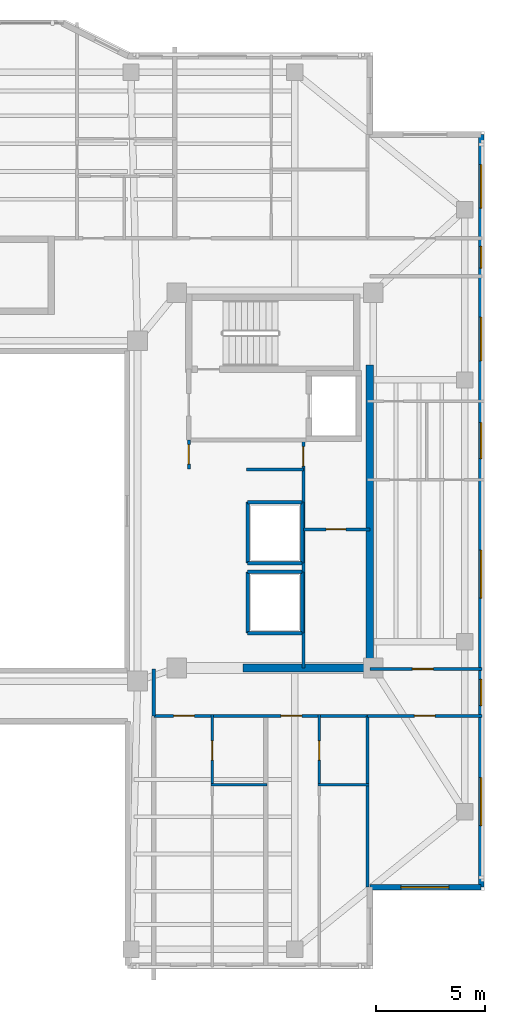
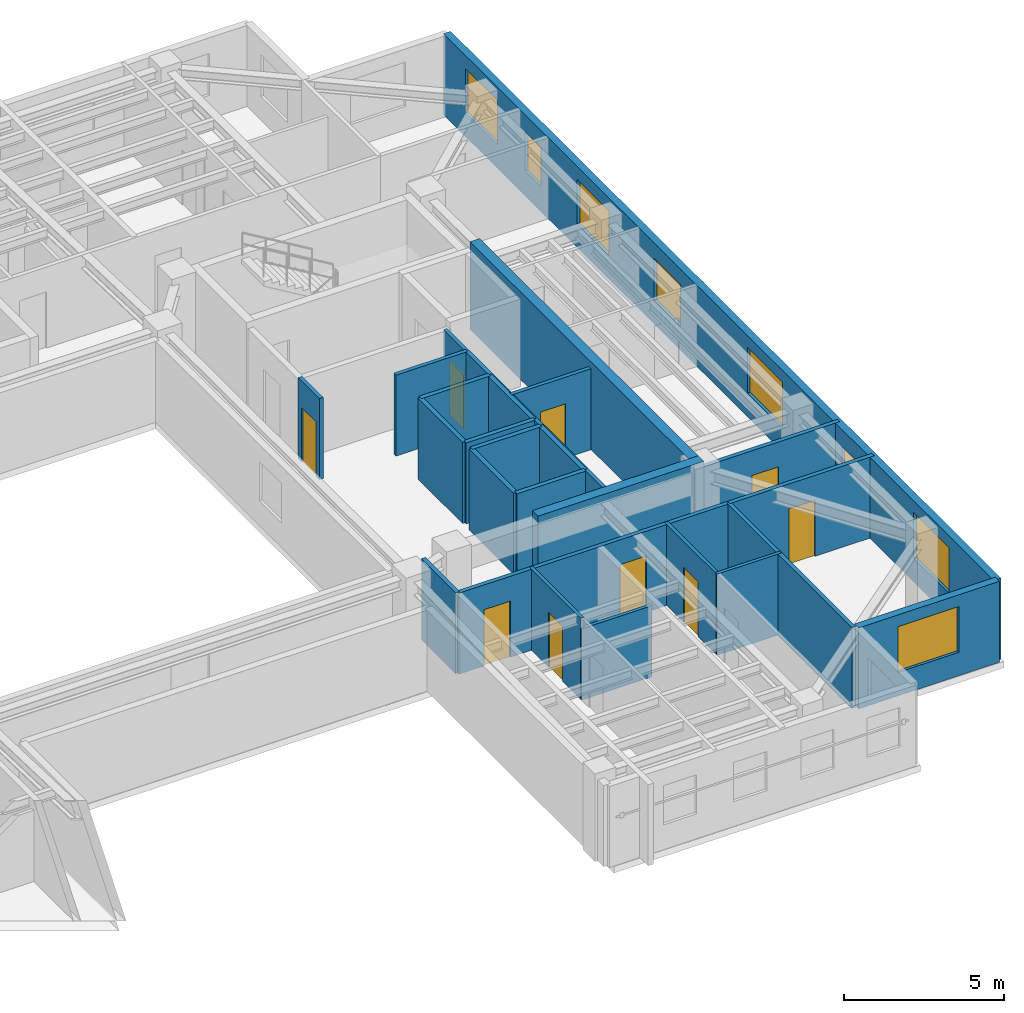
# One storey, part 6 of 12: 25 walls, 9 doors, 8 windows, 17 openings.
"""IFC4 building model written with IfcOpenShell, lengths in metres."""

from ifc_helpers import new_model, si_unit, direction, frame, frame_2d, origin, place, context, subcontext, project, spatial, rectangle, extrude, material, layer, layer_set, type_object, element, fill, save


model = new_model("IFC4")

# Units and contexts
model_context = context("Model", 3, precision=1e-05, world=origin(), true_north=direction((0.0, 1.0)))
body_context = subcontext(model_context, "Body", "Model", "MODEL_VIEW")
ifc_project = project(units=[si_unit("LENGTHUNIT", "METRE"), si_unit("AREAUNIT", "SQUARE_METRE"), si_unit("VOLUMEUNIT", "CUBIC_METRE"), si_unit("PLANEANGLEUNIT", "RADIAN"), si_unit("MASSUNIT", "GRAM", prefix="KILO")], contexts=[model_context])

# Site, building, storey
site_placement = place(None, origin())
site = spatial("IfcSite", under=ifc_project, at=site_placement, CompositionType="ELEMENT")
building_placement = place(site_placement, origin())
building = spatial("IfcBuilding", under=site, at=building_placement, Name="Tarnavaz Court Tower", CompositionType="ELEMENT")
storey_placement = place(building_placement, frame((0.0, 0.0, 207.0)))
storey = spatial("IfcBuildingStorey", under=building, at=storey_placement, Name="L56", CompositionType="ELEMENT", Elevation=207.0)

# Walls
ifc_material_1 = material(Name="Concrete C50/60", Category="concrete")
ifc_layer_1 = layer(ifc_material_1, 0.35009765625)
ifc_layer_set_1 = layer_set([ifc_layer_1], Name="Concrete C50/60")
wall_type_1 = type_object("IfcWallType", Name="WL-CORE-350-C50", PredefinedType="SHEAR", material=ifc_layer_set_1)
wall_1_placement = place(storey_placement, frame((18.449951171875, -7.375, 0.0), z_axis=(0.0, 0.0, 1.0), x_axis=(0.0, 1.0, 0.0)))
element("IfcWall", 1, at=wall_1_placement, inside=storey, type_object=wall_type_1, Name="L56 East Core Shear Wall 047", PredefinedType="SHEAR", context=body_context, shape_type="SweptSolid", body=[
    extrude(rectangle(XDim=14.050048828125, YDim=0.35009765625, at=frame_2d((7.02490234375, 0.0))), origin(), (0.0, 0.0, 1.0), 3.35009765625),
])
wall_2_placement = place(storey_placement, frame((12.625, -7.199951171875, 0.0), z_axis=(0.0, 0.0, 1.0), x_axis=(1.0, 0.0, 0.0)))
element("IfcWall", 2, at=wall_2_placement, inside=storey, type_object=wall_type_1, Name="L56 East Core South Shear Wall 048", PredefinedType="SHEAR", context=body_context, shape_type="SweptSolid", body=[
    extrude(rectangle(XDim=6.0, YDim=0.35009765625, at=frame_2d((3.0, 0.0))), origin(), (0.0, 0.0, 1.0), 3.35009765625),
])

# Wall, openings, windows
ifc_material_2 = material(Name="Precast Concrete C40/50", Category="concrete")
ifc_layer_2 = layer(ifc_material_2, 0.260009765625)
ifc_layer_set_2 = layer_set([ifc_layer_2], Name="Precast Concrete C40/50")
wall_type_2 = type_object("IfcWallType", Name="WL-EXT-260", PredefinedType="SOLIDWALL", material=ifc_layer_set_2)
wall_3_placement = place(storey_placement, frame((23.550048828125, 17.25, 0.0), z_axis=(0.0, 0.0, 1.0), x_axis=(0.0, -1.0, 0.0)))
wall_3 = element("IfcWall", 3, at=wall_3_placement, inside=storey, type_object=wall_type_2, Name="L56 Exterior Terracotta Facade Wall 12", PredefinedType="SOLIDWALL", context=body_context, shape_type="SweptSolid", body=[
    extrude(rectangle(XDim=34.5, YDim=0.260009765625, at=frame_2d((17.25, 0.0))), origin(), (0.0, 0.0, 1.0), 3.10009765625),
])
opening_1_placement = place(wall_3_placement, frame((1.375, 0.0, 0.89990234375)))
opening_1 = element("IfcOpeningElement", 4, at=opening_1_placement, cuts=wall_3, Name="Opening W08", PredefinedType="OPENING", context=body_context, shape_type="SweptSolid", body=[
    extrude(rectangle(XDim=2.0, YDim=1.699951171875, at=frame_2d((1.0, 0.85009765625))), frame((0.0, 0.139892578125, 0.0), z_axis=(0.0, -1.0, 0.0), x_axis=(1.0, 0.0, 0.0)), (0.0, 0.0, 1.0), 0.280029296875),
])
opening_2_placement = place(wall_3_placement, frame((5.125, 0.0, 0.949951171875)))
opening_2 = element("IfcOpeningElement", 5, at=opening_2_placement, cuts=wall_3, Name="Opening W14", PredefinedType="OPENING", context=body_context, shape_type="SweptSolid", body=[
    extrude(rectangle(XDim=1.0, YDim=1.5, at=frame_2d((0.5, 0.75))), frame((0.0, 0.139892578125, 0.0), z_axis=(0.0, -1.0, 0.0), x_axis=(1.0, 0.0, 0.0)), (0.0, 0.0, 1.0), 0.280029296875),
])
opening_3_placement = place(wall_3_placement, frame((8.375, 0.0, 0.89990234375)))
opening_3 = element("IfcOpeningElement", 6, at=opening_3_placement, cuts=wall_3, Name="Opening W08", PredefinedType="OPENING", context=body_context, shape_type="SweptSolid", body=[
    extrude(rectangle(XDim=2.0, YDim=1.699951171875, at=frame_2d((1.0, 0.85009765625))), frame((0.0, 0.139892578125, 0.0), z_axis=(0.0, -1.0, 0.0), x_axis=(1.0, 0.0, 0.0)), (0.0, 0.0, 1.0), 0.280029296875),
])
opening_4_placement = place(wall_3_placement, frame((13.199951171875, 0.0, 0.89990234375)))
opening_4 = element("IfcOpeningElement", 7, at=opening_4_placement, cuts=wall_3, Name="Opening W02", PredefinedType="OPENING", context=body_context, shape_type="SweptSolid", body=[
    extrude(rectangle(XDim=1.64990234375, YDim=1.60009765625, at=frame_2d((0.824951171875, 0.800048828125))), frame((0.0, 0.139892578125, 0.0), z_axis=(0.0, -1.0, 0.0), x_axis=(1.0, 0.0, 0.0)), (0.0, 0.0, 1.0), 0.280029296875),
])
opening_5_placement = place(wall_3_placement, frame((19.050048828125, 0.0, 0.89990234375)))
opening_5 = element("IfcOpeningElement", 8, at=opening_5_placement, cuts=wall_3, Name="Opening W07", PredefinedType="OPENING", context=body_context, shape_type="SweptSolid", body=[
    extrude(rectangle(XDim=2.199951171875, YDim=1.75, at=frame_2d((1.10009765625, 0.875))), frame((0.0, 0.139892578125, 0.0), z_axis=(0.0, -1.0, 0.0), x_axis=(1.0, 0.0, 0.0)), (0.0, 0.0, 1.0), 0.280029296875),
])
opening_6_placement = place(wall_3_placement, frame((24.97509765625, 0.0, 0.949951171875)))
opening_6 = element("IfcOpeningElement", 9, at=opening_6_placement, cuts=wall_3, Name="Opening W05", PredefinedType="OPENING", context=body_context, shape_type="SweptSolid", body=[
    extrude(rectangle(XDim=1.199951171875, YDim=1.5, at=frame_2d((0.60009765625, 0.75))), frame((0.0, 0.139892578125, 0.0), z_axis=(0.0, -1.0, 0.0), x_axis=(1.0, 0.0, 0.0)), (0.0, 0.0, 1.0), 0.280029296875),
])
opening_7_placement = place(wall_3_placement, frame((29.47509765625, 0.0, 0.89990234375)))
opening_7 = element("IfcOpeningElement", 10, at=opening_7_placement, cuts=wall_3, Name="Opening W07", PredefinedType="OPENING", context=body_context, shape_type="SweptSolid", body=[
    extrude(rectangle(XDim=2.199951171875, YDim=1.75, at=frame_2d((1.10009765625, 0.875))), frame((0.0, 0.139892578125, 0.0), z_axis=(0.0, -1.0, 0.0), x_axis=(1.0, 0.0, 0.0)), (0.0, 0.0, 1.0), 0.280029296875),
])
ifc_material_3 = material(Name="Double-Glazed Solar Low-E Glass", Category="glass")
window_type_1 = type_object("IfcWindowType", Name="WN-APT-1000", PartitioningType="SINGLE_PANEL", PredefinedType="WINDOW", material=ifc_material_3)
window_1_placement = place(opening_2_placement, origin())
window_1 = element("IfcWindow", 11, at=window_1_placement, inside=storey, type_object=window_type_1, Name="L56 North-East Corner Corridor Window", OverallHeight=1.5, OverallWidth=1.0, PartitioningType="SINGLE_PANEL", PredefinedType="WINDOW", context=body_context, shape_type="SweptSolid", body=[
    extrude(rectangle(XDim=1.0, YDim=1.5, at=frame_2d((0.5, 0.75))), frame((0.0, 0.030029296875, 0.0), z_axis=(0.0, -1.0, 0.0), x_axis=(1.0, 0.0, 0.0)), (0.0, 0.0, 1.0), 0.06005859375),
])
fill(opening_2, window_1)
window_type_2 = type_object("IfcWindowType", Name="WN-APT-1200", PartitioningType="SINGLE_PANEL", PredefinedType="WINDOW", material=ifc_material_3)
window_2_placement = place(opening_6_placement, origin())
window_2 = element("IfcWindow", 12, at=window_2_placement, inside=storey, type_object=window_type_2, Name="L56 South-East Corner Corridor Window", OverallHeight=1.5, OverallWidth=1.199951171875, PartitioningType="SINGLE_PANEL", PredefinedType="WINDOW", context=body_context, shape_type="SweptSolid", body=[
    extrude(rectangle(XDim=1.199951171875, YDim=1.5, at=frame_2d((0.60009765625, 0.75))), frame((0.0, 0.030029296875, 0.0), z_axis=(0.0, -1.0, 0.0), x_axis=(1.0, 0.0, 0.0)), (0.0, 0.0, 1.0), 0.06005859375),
])
fill(opening_6, window_2)
window_type_3 = type_object("IfcWindowType", Name="WN-APT-1650", PartitioningType="DOUBLE_PANEL_VERTICAL", PredefinedType="WINDOW", material=ifc_material_3)
window_3_placement = place(opening_4_placement, origin())
window_3 = element("IfcWindow", 13, at=window_3_placement, inside=storey, type_object=window_type_3, Name="L56 Flat 10 Bathroom Window", OverallHeight=1.60009765625, OverallWidth=1.64990234375, PartitioningType="SINGLE_PANEL", PredefinedType="WINDOW", context=body_context, shape_type="SweptSolid", body=[
    extrude(rectangle(XDim=1.64990234375, YDim=1.60009765625, at=frame_2d((0.824951171875, 0.800048828125))), frame((0.0, 0.030029296875, 0.0), z_axis=(0.0, -1.0, 0.0), x_axis=(1.0, 0.0, 0.0)), (0.0, 0.0, 1.0), 0.06005859375),
])
fill(opening_4, window_3)
window_type_4 = type_object("IfcWindowType", Name="WN-APT-2000", PartitioningType="DOUBLE_PANEL_VERTICAL", PredefinedType="WINDOW", material=ifc_material_3)
window_4_placement = place(opening_1_placement, origin())
window_4 = element("IfcWindow", 14, at=window_4_placement, inside=storey, type_object=window_type_4, Name="L56 North-East Corner Sunroom Study Window", OverallHeight=1.699951171875, OverallWidth=2.0, PartitioningType="SINGLE_PANEL", PredefinedType="WINDOW", context=body_context, shape_type="SweptSolid", body=[
    extrude(rectangle(XDim=2.0, YDim=1.699951171875, at=frame_2d((1.0, 0.85009765625))), frame((0.0, 0.030029296875, 0.0), z_axis=(0.0, -1.0, 0.0), x_axis=(1.0, 0.0, 0.0)), (0.0, 0.0, 1.0), 0.06005859375),
])
fill(opening_1, window_4)
window_5_placement = place(opening_3_placement, origin())
window_5 = element("IfcWindow", 15, at=window_5_placement, inside=storey, type_object=window_type_4, Name="L56 Flat 10 Study Room Window", OverallHeight=1.699951171875, OverallWidth=2.0, PartitioningType="SINGLE_PANEL", PredefinedType="WINDOW", context=body_context, shape_type="SweptSolid", body=[
    extrude(rectangle(XDim=2.0, YDim=1.699951171875, at=frame_2d((1.0, 0.85009765625))), frame((0.0, 0.030029296875, 0.0), z_axis=(0.0, -1.0, 0.0), x_axis=(1.0, 0.0, 0.0)), (0.0, 0.0, 1.0), 0.06005859375),
])
fill(opening_3, window_5)
window_type_5 = type_object("IfcWindowType", Name="WN-APT-2200", PartitioningType="TRIPLE_PANEL_VERTICAL", PredefinedType="WINDOW", material=ifc_material_3)
window_6_placement = place(opening_5_placement, origin())
window_6 = element("IfcWindow", 16, at=window_6_placement, inside=storey, type_object=window_type_5, Name="L56 Flat 10 Studio Living and Sleeping Room Window", OverallHeight=1.75, OverallWidth=2.199951171875, PartitioningType="SINGLE_PANEL", PredefinedType="WINDOW", context=body_context, shape_type="SweptSolid", body=[
    extrude(rectangle(XDim=2.199951171875, YDim=1.75, at=frame_2d((1.10009765625, 0.875))), frame((0.0, 0.030029296875, 0.0), z_axis=(0.0, -1.0, 0.0), x_axis=(1.0, 0.0, 0.0)), (0.0, 0.0, 1.0), 0.06005859375),
])
fill(opening_5, window_6)
window_7_placement = place(opening_7_placement, origin())
window_7 = element("IfcWindow", 17, at=window_7_placement, inside=storey, type_object=window_type_5, Name="L56 South-East Corner Reading Room Window", OverallHeight=1.75, OverallWidth=2.199951171875, PartitioningType="SINGLE_PANEL", PredefinedType="WINDOW", context=body_context, shape_type="SweptSolid", body=[
    extrude(rectangle(XDim=2.199951171875, YDim=1.75, at=frame_2d((1.10009765625, 0.875))), frame((0.0, 0.030029296875, 0.0), z_axis=(0.0, -1.0, 0.0), x_axis=(1.0, 0.0, 0.0)), (0.0, 0.0, 1.0), 0.06005859375),
])
fill(opening_7, window_7)

# Wall, opening, window
wall_4_placement = place(storey_placement, frame((23.550048828125, -17.25, 0.0), z_axis=(0.0, 0.0, 1.0), x_axis=(-1.0, 0.0, 0.0)))
wall_4 = element("IfcWall", 18, at=wall_4_placement, inside=storey, type_object=wall_type_2, Name="L56 Exterior Terracotta Facade Wall 13", PredefinedType="SOLIDWALL", context=body_context, shape_type="SweptSolid", body=[
    extrude(rectangle(XDim=5.10009765625, YDim=0.260009765625, at=frame_2d((2.550048828125, 0.0))), origin(), (0.0, 0.0, 1.0), 3.10009765625),
])
opening_8_placement = place(wall_4_placement, frame((1.47509765625, 0.0, 0.89990234375)))
opening_8 = element("IfcOpeningElement", 19, at=opening_8_placement, cuts=wall_4, Name="Opening W07", PredefinedType="OPENING", context=body_context, shape_type="SweptSolid", body=[
    extrude(rectangle(XDim=2.199951171875, YDim=1.75, at=frame_2d((1.10009765625, 0.875))), frame((0.0, 0.139892578125, 0.0), z_axis=(0.0, -1.0, 0.0), x_axis=(1.0, 0.0, 0.0)), (0.0, 0.0, 1.0), 0.280029296875),
])
window_8_placement = place(opening_8_placement, origin())
window_8 = element("IfcWindow", 20, at=window_8_placement, inside=storey, type_object=window_type_5, Name="L56 South-East Corner Reading Room Window", OverallHeight=1.75, OverallWidth=2.199951171875, PartitioningType="SINGLE_PANEL", PredefinedType="WINDOW", context=body_context, shape_type="SweptSolid", body=[
    extrude(rectangle(XDim=2.199951171875, YDim=1.75, at=frame_2d((1.10009765625, 0.875))), frame((0.0, 0.030029296875, 0.0), z_axis=(0.0, -1.0, 0.0), x_axis=(1.0, 0.0, 0.0)), (0.0, 0.0, 1.0), 0.06005859375),
])
fill(opening_8, window_8)

# Wall, openings, doors
ifc_material_4 = material(Name="Gypsum Fire-Board on Acoustic Metal Stud", Category="masonry")
ifc_layer_3 = layer(ifc_material_4, 0.14990234375)
ifc_layer_set_3 = layer_set([ifc_layer_3], Name="Gypsum Fire-Board on Acoustic Metal Stud")
wall_type_3 = type_object("IfcWallType", Name="WL-FIRE-150", PredefinedType="PARTITIONING", material=ifc_layer_set_3)
wall_5_placement = place(storey_placement, frame((8.550048828125, -9.39990234375, 0.0), z_axis=(0.0, 0.0, 1.0), x_axis=(1.0, 0.0, 0.0)))
wall_5 = element("IfcWall", 21, at=wall_5_placement, inside=storey, type_object=wall_type_3, Name="L56 SE Lobby Wall 058", PredefinedType="PARTITIONING", context=body_context, shape_type="SweptSolid", body=[
    extrude(rectangle(XDim=9.800048828125, YDim=0.14990234375, at=frame_2d((4.89990234375, 0.0))), origin(), (0.0, 0.0, 1.0), 3.10009765625),
])
opening_9_placement = place(wall_5_placement, frame((0.89990234375, 0.0, 0.0)))
opening_9 = element("IfcOpeningElement", 22, at=opening_9_placement, cuts=wall_5, Name="Opening D06", PredefinedType="OPENING", context=body_context, shape_type="SweptSolid", body=[
    extrude(rectangle(XDim=0.9599609375, YDim=2.14990234375, at=frame_2d((0.47998046875, 1.074951171875))), frame((0.0, 0.0849609375, 0.0), z_axis=(0.0, -1.0, 0.0), x_axis=(1.0, 0.0, 0.0)), (0.0, 0.0, 1.0), 0.169921875),
])
opening_10_placement = place(wall_5_placement, frame((5.820068359375, 0.0, 0.0)))
opening_10 = element("IfcOpeningElement", 23, at=opening_10_placement, cuts=wall_5, Name="Opening D06", PredefinedType="OPENING", context=body_context, shape_type="SweptSolid", body=[
    extrude(rectangle(XDim=0.9599609375, YDim=2.14990234375, at=frame_2d((0.47998046875, 1.074951171875))), frame((0.0, 0.0849609375, 0.0), z_axis=(0.0, -1.0, 0.0), x_axis=(1.0, 0.0, 0.0)), (0.0, 0.0, 1.0), 0.169921875),
])
ifc_material_5 = material(Name="Fire-Rated Hardwood Timber Core", Category="wood")
door_type_1 = type_object("IfcDoorType", Name="DR-FD60-950", OperationType="NOTDEFINED", PredefinedType="DOOR", material=ifc_material_5)
door_1_placement = place(opening_9_placement, origin())
door_1 = element("IfcDoor", 24, at=door_1_placement, inside=storey, type_object=door_type_1, Name="L56 Flat 07 Entrance Door", OperationType="SINGLE_SWING_LEFT", OverallHeight=2.14990234375, OverallWidth=0.9599609375, PredefinedType="DOOR", context=body_context, shape_type="SweptSolid", body=[
    extrude(rectangle(XDim=0.9599609375, YDim=2.14990234375, at=frame_2d((0.47998046875, 1.074951171875))), frame((0.0, 0.02490234375, 0.0), z_axis=(0.0, -1.0, 0.0), x_axis=(1.0, 0.0, 0.0)), (0.0, 0.0, 1.0), 0.050048828125),
])
fill(opening_9, door_1)
door_2_placement = place(opening_10_placement, origin())
door_2 = element("IfcDoor", 25, at=door_2_placement, inside=storey, type_object=door_type_1, Name="L56 Flat 08 Entrance Door", OperationType="SINGLE_SWING_RIGHT", OverallHeight=2.14990234375, OverallWidth=0.9599609375, PredefinedType="DOOR", context=body_context, shape_type="SweptSolid", body=[
    extrude(rectangle(XDim=0.9599609375, YDim=2.14990234375, at=frame_2d((0.47998046875, 1.074951171875))), frame((0.0, 0.02490234375, 0.0), z_axis=(0.0, -1.0, 0.0), x_axis=(1.0, 0.0, 0.0)), (0.0, 0.0, 1.0), 0.050048828125),
])
fill(opening_10, door_2)

# Wall
wall_6_placement = place(storey_placement, frame((8.550048828125, -9.39990234375, 0.0), z_axis=(0.0, 0.0, 1.0), x_axis=(0.0, 1.0, 0.0)))
element("IfcWall", 26, at=wall_6_placement, inside=storey, type_object=wall_type_3, Name="L56 East Spine End Wall 060", PredefinedType="PARTITIONING", context=body_context, shape_type="SweptSolid", body=[
    extrude(rectangle(XDim=2.14990234375, YDim=0.14990234375, at=frame_2d((1.074951171875, 0.0))), origin(), (0.0, 0.0, 1.0), 3.10009765625),
])

# Wall, opening, door
wall_7_placement = place(storey_placement, frame((18.449951171875, -7.25, 0.0), z_axis=(0.0, 0.0, 1.0), x_axis=(1.0, 0.0, 0.0)))
wall_7 = element("IfcWall", 27, at=wall_7_placement, inside=storey, type_object=wall_type_3, Name="L56 Interior Partition 098", PredefinedType="PARTITIONING", context=body_context, shape_type="SweptSolid", body=[
    extrude(rectangle(XDim=5.130126953125, YDim=0.14990234375, at=frame_2d((2.56494140625, 0.0))), origin(), (0.0, 0.0, 1.0), 3.10009765625),
])
opening_11_placement = place(wall_7_placement, frame((1.949951171875, 0.0, 0.0)))
opening_11 = element("IfcOpeningElement", 28, at=opening_11_placement, cuts=wall_7, Name="Opening D06", PredefinedType="OPENING", context=body_context, shape_type="SweptSolid", body=[
    extrude(rectangle(XDim=0.9599609375, YDim=2.14990234375, at=frame_2d((0.47998046875, 1.074951171875))), frame((0.0, 0.0849609375, 0.0), z_axis=(0.0, -1.0, 0.0), x_axis=(1.0, 0.0, 0.0)), (0.0, 0.0, 1.0), 0.169921875),
])
door_3_placement = place(opening_11_placement, origin())
door_3 = element("IfcDoor", 29, at=door_3_placement, inside=storey, type_object=door_type_1, Name="L56 Flat 10 Entrance Door", OperationType="SINGLE_SWING_LEFT", OverallHeight=2.14990234375, OverallWidth=0.9599609375, PredefinedType="DOOR", context=body_context, shape_type="SweptSolid", body=[
    extrude(rectangle(XDim=0.9599609375, YDim=2.14990234375, at=frame_2d((0.47998046875, 1.074951171875))), frame((0.0, 0.02490234375, 0.0), z_axis=(0.0, -1.0, 0.0), x_axis=(1.0, 0.0, 0.0)), (0.0, 0.0, 1.0), 0.050048828125),
])
fill(opening_11, door_3)

wall_8_placement = place(storey_placement, frame((18.35009765625, -9.39990234375, 0.0), z_axis=(0.0, 0.0, 1.0), x_axis=(1.0, 0.0, 0.0)))
wall_8 = element("IfcWall", 30, at=wall_8_placement, inside=storey, type_object=wall_type_3, Name="L56 Interior Partition 107", PredefinedType="PARTITIONING", context=body_context, shape_type="SweptSolid", body=[
    extrude(rectangle(XDim=5.22998046875, YDim=0.14990234375, at=frame_2d((2.614990234375, 0.0))), origin(), (0.0, 0.0, 1.0), 3.10009765625),
])
opening_12_placement = place(wall_8_placement, frame((2.139892578125, 0.0, 0.0)))
opening_12 = element("IfcOpeningElement", 31, at=opening_12_placement, cuts=wall_8, Name="Opening D13", PredefinedType="OPENING", context=body_context, shape_type="SweptSolid", body=[
    extrude(rectangle(XDim=0.949951171875, YDim=2.14990234375, at=frame_2d((0.47509765625, 1.074951171875))), frame((0.0, 0.0849609375, 0.0), z_axis=(0.0, -1.0, 0.0), x_axis=(1.0, 0.0, 0.0)), (0.0, 0.0, 1.0), 0.169921875),
])
ifc_material_6 = material(Name="Engineered Oak Timber", Category="wood")
door_type_2 = type_object("IfcDoorType", Name="DR-INT-950", OperationType="NOTDEFINED", PredefinedType="DOOR", material=ifc_material_6)
door_4_placement = place(opening_12_placement, origin())
door_4 = element("IfcDoor", 32, at=door_4_placement, inside=storey, type_object=door_type_2, Name="L56 SE Reading Room Door", OperationType="SINGLE_SWING_RIGHT", OverallHeight=2.14990234375, OverallWidth=0.949951171875, PredefinedType="DOOR", context=body_context, shape_type="SweptSolid", body=[
    extrude(rectangle(XDim=0.949951171875, YDim=2.14990234375, at=frame_2d((0.47509765625, 1.074951171875))), frame((0.0, 0.02490234375, 0.0), z_axis=(0.0, -1.0, 0.0), x_axis=(1.0, 0.0, 0.0)), (0.0, 0.0, 1.0), 0.050048828125),
])
fill(opening_12, door_4)

ifc_material_7 = material(Name="Moisture-Resistant Gypsum Board Partition", Category="masonry")
ifc_layer_4 = layer(ifc_material_7, 0.1201171875)
ifc_layer_set_4 = layer_set([ifc_layer_4], Name="Moisture-Resistant Gypsum Board Partition")
wall_type_4 = type_object("IfcWallType", Name="WL-PART-120", PredefinedType="PARTITIONING", material=ifc_layer_set_4)
wall_9_placement = place(storey_placement, frame((11.23388671875, -12.56005859375, 0.0), z_axis=(0.0, 0.0, 1.0), x_axis=(0.0, 1.0, 0.0)))
wall_9 = element("IfcWall", 33, at=wall_9_placement, inside=storey, type_object=wall_type_4, Name="L56 Interior Partition 089", PredefinedType="PARTITIONING", context=body_context, shape_type="SweptSolid", body=[
    extrude(rectangle(XDim=3.219970703125, YDim=0.1201171875, at=frame_2d((1.60986328125, 0.0))), origin(), (0.0, 0.0, 1.0), 3.10009765625),
])
opening_13_placement = place(wall_9_placement, frame((1.139892578125, 0.0, 0.0)))
opening_13 = element("IfcOpeningElement", 34, at=opening_13_placement, cuts=wall_9, Name="Opening D14", PredefinedType="OPENING", context=body_context, shape_type="SweptSolid", body=[
    extrude(rectangle(XDim=0.8798828125, YDim=2.10009765625, at=frame_2d((0.43994140625, 1.050048828125))), frame((0.0, 0.070068359375, 0.0), z_axis=(0.0, -1.0, 0.0), x_axis=(1.0, 0.0, 0.0)), (0.0, 0.0, 1.0), 0.14013671875),
])
door_type_3 = type_object("IfcDoorType", Name="DR-INT-900", OperationType="NOTDEFINED", PredefinedType="DOOR", material=ifc_material_6)
door_5_placement = place(opening_13_placement, origin())
door_5 = element("IfcDoor", 35, at=door_5_placement, inside=storey, type_object=door_type_3, Name="L56 Flat 07 Bathroom Door", OperationType="SINGLE_SWING_LEFT", OverallHeight=2.10009765625, OverallWidth=0.8798828125, PredefinedType="DOOR", context=body_context, shape_type="SweptSolid", body=[
    extrude(rectangle(XDim=0.8798828125, YDim=2.10009765625, at=frame_2d((0.43994140625, 1.050048828125))), frame((0.0, 0.02490234375, 0.0), z_axis=(0.0, -1.0, 0.0), x_axis=(1.0, 0.0, 0.0)), (0.0, 0.0, 1.0), 0.050048828125),
])
fill(opening_13, door_5)

# Wall
wall_10_placement = place(storey_placement, frame((11.174072265625, -12.56005859375, 0.0), z_axis=(0.0, 0.0, 1.0), x_axis=(1.0, 0.0, 0.0)))
element("IfcWall", 36, at=wall_10_placement, inside=storey, type_object=wall_type_4, Name="L56 Interior Partition 090", PredefinedType="PARTITIONING", context=body_context, shape_type="SweptSolid", body=[
    extrude(rectangle(XDim=2.555908203125, YDim=0.1201171875, at=frame_2d((1.27783203125, 0.0))), origin(), (0.0, 0.0, 1.0), 2.72509765625),
])

# Wall, opening, door
wall_11_placement = place(storey_placement, frame((16.1298828125, -12.56005859375, 0.0), z_axis=(0.0, 0.0, 1.0), x_axis=(0.0, 1.0, 0.0)))
wall_11 = element("IfcWall", 37, at=wall_11_placement, inside=storey, type_object=wall_type_4, Name="L56 Interior Partition 092", PredefinedType="PARTITIONING", context=body_context, shape_type="SweptSolid", body=[
    extrude(rectangle(XDim=3.219970703125, YDim=0.1201171875, at=frame_2d((1.60986328125, 0.0))), origin(), (0.0, 0.0, 1.0), 3.10009765625),
])
opening_14_placement = place(wall_11_placement, frame((1.139892578125, 0.0, 0.0)))
opening_14 = element("IfcOpeningElement", 38, at=opening_14_placement, cuts=wall_11, Name="Opening D14", PredefinedType="OPENING", context=body_context, shape_type="SweptSolid", body=[
    extrude(rectangle(XDim=0.8798828125, YDim=2.10009765625, at=frame_2d((0.43994140625, 1.050048828125))), frame((0.0, 0.070068359375, 0.0), z_axis=(0.0, -1.0, 0.0), x_axis=(1.0, 0.0, 0.0)), (0.0, 0.0, 1.0), 0.14013671875),
])
door_6_placement = place(opening_14_placement, origin())
door_6 = element("IfcDoor", 39, at=door_6_placement, inside=storey, type_object=door_type_3, Name="L56 Flat 08 Bathroom Door", OperationType="SINGLE_SWING_RIGHT", OverallHeight=2.10009765625, OverallWidth=0.8798828125, PredefinedType="DOOR", context=body_context, shape_type="SweptSolid", body=[
    extrude(rectangle(XDim=0.8798828125, YDim=2.10009765625, at=frame_2d((0.43994140625, 1.050048828125))), frame((0.0, 0.02490234375, 0.0), z_axis=(0.0, -1.0, 0.0), x_axis=(1.0, 0.0, 0.0)), (0.0, 0.0, 1.0), 0.050048828125),
])
fill(opening_14, door_6)

# Walls
wall_12_placement = place(storey_placement, frame((16.070068359375, -12.56005859375, 0.0), z_axis=(0.0, 0.0, 1.0), x_axis=(1.0, 0.0, 0.0)))
element("IfcWall", 40, at=wall_12_placement, inside=storey, type_object=wall_type_4, Name="L56 Interior Partition 093", PredefinedType="PARTITIONING", context=body_context, shape_type="SweptSolid", body=[
    extrude(rectangle(XDim=2.33984375, YDim=0.1201171875, at=frame_2d((1.169921875, 0.0))), origin(), (0.0, 0.0, 1.0), 3.10009765625),
])
ifc_material_8 = material(Name="Gypsum Plasterboard Acoustic Partition", Category="masonry")
ifc_layer_5 = layer(ifc_material_8, 0.139892578125)
ifc_layer_set_5 = layer_set([ifc_layer_5], Name="Gypsum Plasterboard Acoustic Partition")
wall_type_5 = type_object("IfcWallType", Name="WL-PART-150", PredefinedType="PARTITIONING", material=ifc_layer_set_5)
wall_13_placement = place(storey_placement, frame((12.800048828125, 1.89990234375, 0.0), z_axis=(0.0, 0.0, 1.0), x_axis=(1.0, 0.0, 0.0)))
element("IfcWall", 41, at=wall_13_placement, inside=storey, type_object=wall_type_5, Name="L56 Interior Partition 051", PredefinedType="PARTITIONING", context=body_context, shape_type="SweptSolid", body=[
    extrude(rectangle(XDim=2.599853515625, YDim=0.139892578125, at=frame_2d((1.2998046875, 0.0))), origin(), (0.0, 0.0, 1.0), 3.10009765625),
])

# Wall, opening, door
wall_14_placement = place(storey_placement, frame((10.14990234375, 1.919921875, 0.0), z_axis=(0.0, 0.0, 1.0), x_axis=(0.0, 1.0, 0.0)))
wall_14 = element("IfcWall", 42, at=wall_14_placement, inside=storey, type_object=wall_type_5, Name="L56 Interior Partition 052", PredefinedType="PARTITIONING", context=body_context, shape_type="SweptSolid", body=[
    extrude(rectangle(XDim=1.330078125, YDim=0.139892578125, at=frame_2d((0.6650390625, 0.0))), origin(), (0.0, 0.0, 1.0), 3.10009765625),
])
opening_15_placement = place(wall_14_placement, frame((0.219970703125, 0.0, 0.0)))
opening_15 = element("IfcOpeningElement", 43, at=opening_15_placement, cuts=wall_14, Name="Opening D09", PredefinedType="OPENING", context=body_context, shape_type="SweptSolid", body=[
    extrude(rectangle(XDim=0.89990234375, YDim=2.080078125, at=frame_2d((0.449951171875, 1.0400390625))), frame((0.0, 0.079833984375, 0.0), z_axis=(0.0, -1.0, 0.0), x_axis=(1.0, 0.0, 0.0)), (0.0, 0.0, 1.0), 0.159912109375),
])
door_type_4 = type_object("IfcDoorType", Name="DR-FD30-900", OperationType="NOTDEFINED", PredefinedType="DOOR", material=ifc_material_5)
door_7_placement = place(opening_15_placement, origin())
door_7 = element("IfcDoor", 44, at=door_7_placement, inside=storey, type_object=door_type_4, Name="L56 East Core Service Lobby Door", OperationType="SINGLE_SWING_RIGHT", OverallHeight=2.080078125, OverallWidth=0.89990234375, PredefinedType="DOOR", context=body_context, shape_type="SweptSolid", body=[
    extrude(rectangle(XDim=0.89990234375, YDim=2.080078125, at=frame_2d((0.449951171875, 1.0400390625))), frame((0.0, 0.02490234375, 0.0), z_axis=(0.0, -1.0, 0.0), x_axis=(1.0, 0.0, 0.0)), (0.0, 0.0, 1.0), 0.050048828125),
])
fill(opening_15, door_7)

wall_15_placement = place(storey_placement, frame((15.39990234375, -7.199951171875, 0.0), z_axis=(0.0, 0.0, 1.0), x_axis=(0.0, 1.0, 0.0)))
wall_15 = element("IfcWall", 45, at=wall_15_placement, inside=storey, type_object=wall_type_5, Name="L56 Interior Partition 053", PredefinedType="PARTITIONING", context=body_context, shape_type="SweptSolid", body=[
    extrude(rectangle(XDim=10.449951171875, YDim=0.139892578125, at=frame_2d((5.22509765625, 0.0))), origin(), (0.0, 0.0, 1.0), 3.10009765625),
])
opening_16_placement = place(wall_15_placement, frame((9.25, 0.0, 0.0)))
opening_16 = element("IfcOpeningElement", 46, at=opening_16_placement, cuts=wall_15, Name="Opening D09", PredefinedType="OPENING", context=body_context, shape_type="SweptSolid", body=[
    extrude(rectangle(XDim=0.89990234375, YDim=2.080078125, at=frame_2d((0.449951171875, 1.0400390625))), frame((0.0, 0.079833984375, 0.0), z_axis=(0.0, -1.0, 0.0), x_axis=(1.0, 0.0, 0.0)), (0.0, 0.0, 1.0), 0.159912109375),
])
door_8_placement = place(opening_16_placement, origin())
door_8 = element("IfcDoor", 47, at=door_8_placement, inside=storey, type_object=door_type_4, Name="L56 East Wet Riser Door", OperationType="SINGLE_SWING_LEFT", OverallHeight=2.080078125, OverallWidth=0.89990234375, PredefinedType="DOOR", context=body_context, shape_type="SweptSolid", body=[
    extrude(rectangle(XDim=0.89990234375, YDim=2.080078125, at=frame_2d((0.449951171875, 1.0400390625))), frame((0.0, 0.02490234375, 0.0), z_axis=(0.0, -1.0, 0.0), x_axis=(1.0, 0.0, 0.0)), (0.0, 0.0, 1.0), 0.050048828125),
])
fill(opening_16, door_8)

wall_16_placement = place(storey_placement, frame((15.39990234375, -0.85009765625, 0.0), z_axis=(0.0, 0.0, 1.0), x_axis=(1.0, 0.0, 0.0)))
wall_16 = element("IfcWall", 48, at=wall_16_placement, inside=storey, type_object=wall_type_5, Name="L56 Interior Partition 054", PredefinedType="PARTITIONING", context=body_context, shape_type="SweptSolid", body=[
    extrude(rectangle(XDim=3.050048828125, YDim=0.139892578125, at=frame_2d((1.52490234375, 0.0))), origin(), (0.0, 0.0, 1.0), 3.10009765625),
])
opening_17_placement = place(wall_16_placement, frame((1.050048828125, 0.0, 0.0)))
opening_17 = element("IfcOpeningElement", 49, at=opening_17_placement, cuts=wall_16, Name="Opening D09", PredefinedType="OPENING", context=body_context, shape_type="SweptSolid", body=[
    extrude(rectangle(XDim=0.89990234375, YDim=2.080078125, at=frame_2d((0.449951171875, 1.0400390625))), frame((0.0, 0.079833984375, 0.0), z_axis=(0.0, -1.0, 0.0), x_axis=(1.0, 0.0, 0.0)), (0.0, 0.0, 1.0), 0.159912109375),
])
door_9_placement = place(opening_17_placement, origin())
door_9 = element("IfcDoor", 50, at=door_9_placement, inside=storey, type_object=door_type_4, Name="L56 East Electrical Plant Door", OperationType="SINGLE_SWING_RIGHT", OverallHeight=2.080078125, OverallWidth=0.89990234375, PredefinedType="DOOR", context=body_context, shape_type="SweptSolid", body=[
    extrude(rectangle(XDim=0.89990234375, YDim=2.080078125, at=frame_2d((0.449951171875, 1.0400390625))), frame((0.0, 0.02490234375, 0.0), z_axis=(0.0, -1.0, 0.0), x_axis=(1.0, 0.0, 0.0)), (0.0, 0.0, 1.0), 0.050048828125),
])
fill(opening_17, door_9)

# Walls
wall_17_placement = place(storey_placement, frame((18.35009765625, -17.25, 0.0), z_axis=(0.0, 0.0, 1.0), x_axis=(0.0, 1.0, 0.0)))
element("IfcWall", 51, at=wall_17_placement, inside=storey, type_object=wall_type_5, Name="L56 Interior Partition 101", PredefinedType="PARTITIONING", context=body_context, shape_type="SweptSolid", body=[
    extrude(rectangle(XDim=7.85009765625, YDim=0.139892578125, at=frame_2d((3.925048828125, 0.0))), origin(), (0.0, 0.0, 1.0), 3.10009765625),
])
ifc_material_9 = material(Name="Autoclaved Aerated Concrete Blockwork", Category="masonry")
ifc_layer_6 = layer(ifc_material_9, 0.159912109375)
ifc_layer_set_6 = layer_set([ifc_layer_6], Name="Autoclaved Aerated Concrete Blockwork")
wall_type_6 = type_object("IfcWallType", Name="WL-SHAFT-150", PredefinedType="SOLIDWALL", material=ifc_layer_set_6)
for number, where, z_axis, x_axis, name in (
    (52, (12.85009765625, -5.60009765625, 0.0), (0.0, 0.0, 1.0), (0.0, 1.0, 0.0), "L56 Lift PL-OB1 Shaft Wall 037"),
    (53, (15.35009765625, -5.60009765625, 0.0), (0.0, 0.0, 1.0), (0.0, 1.0, 0.0), "L56 Lift PL-OB1 Shaft Wall 038"),
):
    element("IfcWall", number, at=place(storey_placement, frame(where, z_axis=z_axis, x_axis=x_axis)), inside=storey, type_object=wall_type_6, Name=name, PredefinedType="SOLIDWALL", context=body_context, shape_type="SweptSolid", body=[
        extrude(rectangle(XDim=2.800048828125, YDim=0.159912109375, at=frame_2d((1.39990234375, 0.0))), origin(), (0.0, 0.0, 1.0), 3.10009765625),
    ])
for number, where, z_axis, x_axis, name in (
    (54, (12.85009765625, -5.60009765625, 0.0), (0.0, 0.0, 1.0), (1.0, 0.0, 0.0), "L56 Lift PL-OB1 Shaft Wall 039"),
    (55, (12.85009765625, -2.800048828125, 0.0), (0.0, 0.0, 1.0), (1.0, 0.0, 0.0), "L56 Lift PL-OB1 Shaft Wall 040"),
):
    element("IfcWall", number, at=place(storey_placement, frame(where, z_axis=z_axis, x_axis=x_axis)), inside=storey, type_object=wall_type_6, Name=name, PredefinedType="SOLIDWALL", context=body_context, shape_type="SweptSolid", body=[
        extrude(rectangle(XDim=2.5, YDim=0.159912109375, at=frame_2d((1.25, 0.0))), origin(), (0.0, 0.0, 1.0), 3.10009765625),
    ])
for number, where, z_axis, x_axis, name in (
    (56, (12.85009765625, -2.39990234375, 0.0), (0.0, 0.0, 1.0), (0.0, 1.0, 0.0), "L56 Lift PL-OB2 Shaft Wall 041"),
    (57, (15.35009765625, -2.39990234375, 0.0), (0.0, 0.0, 1.0), (0.0, 1.0, 0.0), "L56 Lift PL-OB2 Shaft Wall 042"),
):
    element("IfcWall", number, at=place(storey_placement, frame(where, z_axis=z_axis, x_axis=x_axis)), inside=storey, type_object=wall_type_6, Name=name, PredefinedType="SOLIDWALL", context=body_context, shape_type="SweptSolid", body=[
        extrude(rectangle(XDim=2.7998046875, YDim=0.159912109375, at=frame_2d((1.39990234375, 0.0))), origin(), (0.0, 0.0, 1.0), 3.10009765625),
    ])
for number, where, z_axis, x_axis, name in (
    (58, (12.85009765625, -2.39990234375, 0.0), (0.0, 0.0, 1.0), (1.0, 0.0, 0.0), "L56 Lift PL-OB2 Shaft Wall 043"),
    (59, (12.85009765625, 0.39990234375, 0.0), (0.0, 0.0, 1.0), (1.0, 0.0, 0.0), "L56 Lift PL-OB2 Shaft Wall 044"),
):
    element("IfcWall", number, at=place(storey_placement, frame(where, z_axis=z_axis, x_axis=x_axis)), inside=storey, type_object=wall_type_6, Name=name, PredefinedType="SOLIDWALL", context=body_context, shape_type="SweptSolid", body=[
        extrude(rectangle(XDim=2.5, YDim=0.159912109375, at=frame_2d((1.25, 0.0))), origin(), (0.0, 0.0, 1.0), 3.10009765625),
    ])

save(model, "model.ifc")
